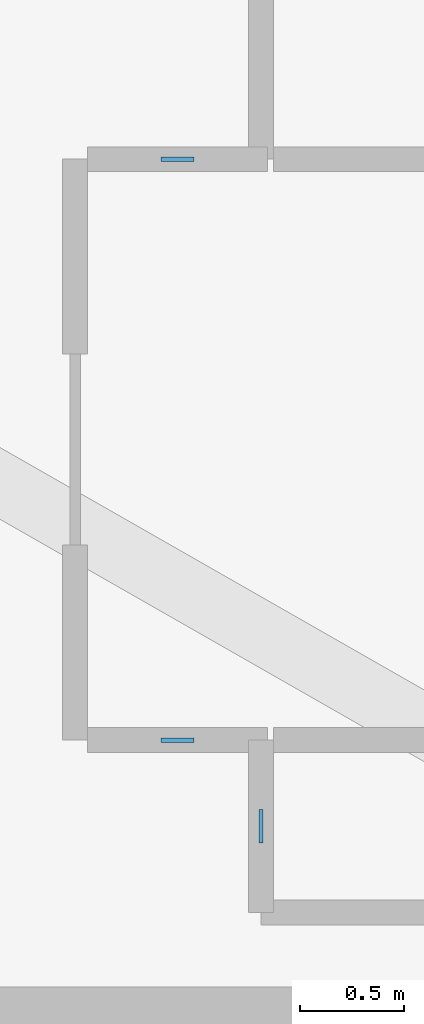
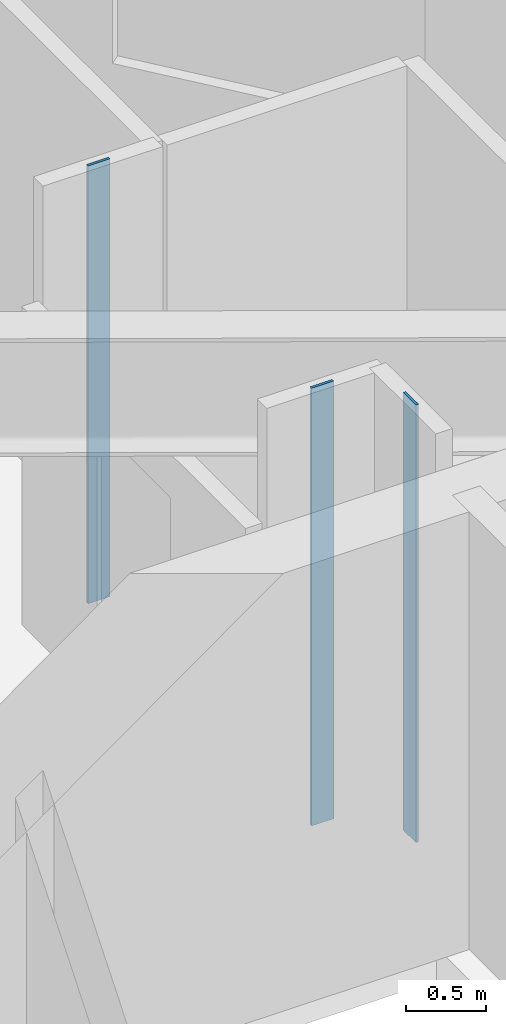
# One storey, part 6 of 13: 3 plates.
"""IFC4 building model written with IfcOpenShell, lengths in metres."""

import ifcopenshell
import ifcopenshell.guid

model = None  # the IFC model being written
_history = None  # IfcOwnerHistory: only IFC2X3 demands one
_inside = {}  # id of a spatial element -> (the spatial element, [elements in it])
_under = {}  # id of a project, library or spatial element -> (it, [spatial elements below it])
_declared = {}  # id of a project -> (the project, [libraries it declares])
_typed = {}  # id of a type object -> (the type object, [elements of that type])
_made_of = {}  # id of a material, layer set ... -> (it, [elements and type objects made of it])


def new_model(schema):
    """Start an empty IFC model of exactly this schema.

    Asked for "IFC4X3", IfcOpenShell would pick the latest addendum, in which some entities
    have other attributes; the version numbers below select the first issue.
    IFC2X3 requires an IfcOwnerHistory on every rooted entity: one is made here for all.
    """
    global model, _history
    if schema == "IFC4X3":
        model = ifcopenshell.file(schema_version=(4, 3, 0, 0))
    else:
        model = ifcopenshell.file(schema=schema)
    _inside.clear()
    _under.clear()
    _declared.clear()
    _typed.clear()
    _made_of.clear()
    _history = None
    if model.schema == "IFC2X3":
        org = make("IfcOrganization", Name="unknown")
        user = make(
            "IfcPersonAndOrganization",
            ThePerson=make("IfcPerson", FamilyName="unknown"),
            TheOrganization=org,
        )
        app = make(
            "IfcApplication",
            ApplicationDeveloper=org,
            Version="unknown",
            ApplicationFullName="unknown",
            ApplicationIdentifier="unknown",
        )
        _history = make(
            "IfcOwnerHistory",
            OwningUser=user,
            OwningApplication=app,
            ChangeAction="ADDED",
            CreationDate=0,
        )
    return model


def make(cls, **values):
    """One entity of the class cls with the attributes given. An attribute that is None is left unset."""
    return model.create_entity(
        cls, **{name: value for name, value in values.items() if value is not None}
    )


def rooted(cls, **values):
    """An entity with a GlobalId (a new one), such as an element, a storey or a relation."""
    return make(cls, GlobalId=ifcopenshell.guid.new(), OwnerHistory=_history, **values)


def si_unit(unit_type, name, prefix=None):
    """IfcSIUnit, for example si_unit("LENGTHUNIT", "METRE", prefix="MILLI")."""
    return make("IfcSIUnit", UnitType=unit_type, Prefix=prefix, Name=name)


def assignment(units):
    """IfcUnitAssignment: the units of a project."""
    return None if units is None else make("IfcUnitAssignment", Units=units)


def point(xyz):
    """IfcCartesianPoint."""
    return None if xyz is None else make("IfcCartesianPoint", Coordinates=xyz)


def direction(xyz):
    """IfcDirection."""
    return None if xyz is None else make("IfcDirection", DirectionRatios=xyz)


def frame(location, z_axis=None, x_axis=None):
    """IfcAxis2Placement3D, a coordinate frame: its origin and axes. An axis left out is left unset."""
    return make(
        "IfcAxis2Placement3D",
        Location=point(location),
        Axis=direction(z_axis),
        RefDirection=direction(x_axis),
    )


def frame_2d(location, x_axis=None):
    """IfcAxis2Placement2D, a coordinate frame in the plane: its origin and x axis."""
    return make(
        "IfcAxis2Placement2D", Location=point(location), RefDirection=direction(x_axis)
    )


def origin():
    """The frame at (0, 0, 0) with its axes left unset."""
    return frame((0.0, 0.0, 0.0))


def origin_2d():
    """The frame at (0, 0) in the plane with its x axis left unset."""
    return frame_2d((0.0, 0.0))


def place(relative_to, where):
    """IfcLocalPlacement: puts the frame where relative to a parent placement (None: the world)."""
    return make(
        "IfcLocalPlacement", PlacementRelTo=relative_to, RelativePlacement=where
    )


def context(
    kind, dimensions, precision=None, world=None, true_north=None, identifier=None
):
    """IfcGeometricRepresentationContext, for example the 3D "Model" context."""
    return make(
        "IfcGeometricRepresentationContext",
        ContextIdentifier=identifier,
        ContextType=kind,
        CoordinateSpaceDimension=dimensions,
        Precision=precision,
        WorldCoordinateSystem=world,
        TrueNorth=true_north,
    )


def subcontext(parent, identifier, kind, view, scale=None):
    """IfcGeometricRepresentationSubContext, for example "Body" below "Model"."""
    return make(
        "IfcGeometricRepresentationSubContext",
        ContextIdentifier=identifier,
        ContextType=kind,
        ParentContext=parent,
        TargetScale=scale,
        TargetView=view,
    )


def project(units=None, contexts=None):
    """IfcProject with its units and contexts."""
    return rooted(
        "IfcProject",
        Name="project",
        RepresentationContexts=contexts,
        UnitsInContext=assignment(units),
    )


def spatial(cls, under=None, at=None, **own):
    """A site, building, storey or space (cls), placed at a placement, below another one or the project."""
    s = rooted(cls, ObjectPlacement=at, **own)
    if under is not None:
        _under.setdefault(under.id(), (under, []))[1].append(s)
    return s


def profile(cls, at=None, kind="AREA", **sizes):
    """A parametric profile (cls). Its sizes go by their IFC names, for example OverallWidth=200.0."""
    return make(cls, ProfileType=kind, Position=at, **sizes)


def rectangle(**sizes):
    """IfcRectangleProfileDef."""
    return profile("IfcRectangleProfileDef", **sizes)


def extrude(swept, where, along, depth):
    """IfcExtrudedAreaSolid: the profile swept, set in the frame where, extruded along a direction by depth."""
    return make(
        "IfcExtrudedAreaSolid",
        SweptArea=swept,
        Position=where,
        ExtrudedDirection=direction(along),
        Depth=depth,
    )


def shape(context_of_items, identifier, shape_type, items):
    """IfcShapeRepresentation: the items that make up one representation, for example the "Body"."""
    return make(
        "IfcShapeRepresentation",
        ContextOfItems=context_of_items,
        RepresentationIdentifier=identifier,
        RepresentationType=shape_type,
        Items=items,
    )


def material(Name=None, Category=None):
    """IfcMaterial."""
    return make("IfcMaterial", Name=Name, Category=Category)


def layer(
    of_material, thickness, ventilated=None, Name=None, Category=None, Priority=None
):
    """IfcMaterialLayer: one layer of a wall or slab, of a material (None: an air gap)."""
    return make(
        "IfcMaterialLayer",
        Material=of_material,
        LayerThickness=thickness,
        IsVentilated=ventilated,
        Name=Name,
        Category=Category,
        Priority=Priority,
    )


def layer_set(layers, Name=None):
    """IfcMaterialLayerSet."""
    return make("IfcMaterialLayerSet", MaterialLayers=layers, LayerSetName=Name)


def made_of(thing, what):
    """Note that an element or type object is made of a material, layer set ...; save() writes the relation."""
    if what is not None:
        _made_of.setdefault(what.id(), (what, []))[1].append(thing)
    return thing


def type_object(cls, material=None, **own):
    """A type object (cls), such as IfcWallType, which elements share."""
    return made_of(rooted(cls, **own), material)


def element(
    cls,
    number,
    at=None,
    inside=None,
    cuts=None,
    type_object=None,
    material=None,
    context=None,
    identifier="Body",
    shape_type=None,
    held_by="IfcProductDefinitionShape",
    body=None,
    shapes=None,
    **own,
):
    """One element of the class cls, such as IfcWall. Its Tag is "e" and its number.

    at: its placement. inside: the storey or other place that contains it. cuts: it is an
    opening in that element (IfcRelVoidsElement). A single representation is given by context,
    identifier, shape_type and body (its items); several are given by shapes. held_by: the class
    of the entity that holds the representations. save() writes the other relations.
    """
    e = rooted(cls, Tag="e%d" % number, ObjectPlacement=at, **own)
    if body is not None:
        shapes = [shape(context, identifier, shape_type, body)]
    if shapes is not None:
        e.Representation = make(held_by, Representations=shapes)
    if inside is not None:
        _inside.setdefault(inside.id(), (inside, []))[1].append(e)
    if cuts is not None:
        rooted(
            "IfcRelVoidsElement", RelatingBuildingElement=cuts, RelatedOpeningElement=e
        )
    if type_object is not None:
        _typed.setdefault(type_object.id(), (type_object, []))[1].append(e)
    return made_of(e, material)


def aggregate(whole, parts):
    """IfcRelAggregates: a whole, such as a stair, and the parts it consists of."""
    return rooted("IfcRelAggregates", RelatingObject=whole, RelatedObjects=parts)


def save(model, path):
    """Write the relations noted so far, then the file.

    IfcRelAggregates (storeys below a building ...), IfcRelContainedInSpatialStructure (elements
    in a storey), IfcRelDefinesByType, IfcRelAssociatesMaterial and IfcRelDeclares: one each for
    every whole, place, type object, material and project.
    """
    for whole, parts in _under.values():
        aggregate(whole, parts)
    for where, things in _inside.values():
        rooted(
            "IfcRelContainedInSpatialStructure",
            RelatedElements=things,
            RelatingStructure=where,
        )
    for kind, things in _typed.values():
        rooted("IfcRelDefinesByType", RelatedObjects=things, RelatingType=kind)
    for what, things in _made_of.values():
        rooted("IfcRelAssociatesMaterial", RelatedObjects=things, RelatingMaterial=what)
    for by, libraries in _declared.values():
        rooted("IfcRelDeclares", RelatingContext=by, RelatedDefinitions=libraries)
    model.write(path)


model = new_model("IFC4")

# Units and contexts
model_context = context("Model", 3, precision=1e-05, world=origin(), true_north=direction((0.0, 1.0)))
body_context = subcontext(model_context, "Body", "Model", "MODEL_VIEW")
ifc_project = project(units=[si_unit("LENGTHUNIT", "METRE"), si_unit("AREAUNIT", "SQUARE_METRE"), si_unit("VOLUMEUNIT", "CUBIC_METRE"), si_unit("PLANEANGLEUNIT", "RADIAN"), si_unit("MASSUNIT", "GRAM", prefix="KILO")], contexts=[model_context])

# Site, building, storey
site_placement = place(None, origin())
site = spatial("IfcSite", under=ifc_project, at=site_placement, CompositionType="ELEMENT")
building_placement = place(site_placement, origin())
building = spatial("IfcBuilding", under=site, at=building_placement, Name="Miruveldt Soraemaru", CompositionType="ELEMENT")
storey_placement = place(building_placement, frame((0.0, 0.0, 201.60009765625)))
storey = spatial("IfcBuildingStorey", under=building, at=storey_placement, Name="L55", CompositionType="ELEMENT", Elevation=201.60009765625)

# Plates
ifc_material = material(Name="Anodised aluminium EN AW-6063 T6", Category="aluminium")
ifc_layer = layer(ifc_material, 0.02001953125, Name="Anodised aluminium EN AW-6063 T6", Category="aluminium")
ifc_layer_set = layer_set([ifc_layer], Name="Anodised aluminium EN AW-6063 T6")
plate_type = type_object("IfcPlateType", Name="PLT-PART-TRIM", PredefinedType="SHEET", material=ifc_layer_set)
for number, where, z_axis, x_axis, name in (
    (1, (49.199951171875, 56.679931640625, 0.0), (0.0, 0.0, 1.0), (-1.0, 0.0, 0.0), "L55 Partition Step Corner Trim Plate 016"),
    (2, (49.199951171875, 53.8798828125, 0.0), (0.0, 0.0, 1.0), (1.0, 0.0, 0.0), "L55 Partition Step Corner Trim Plate 018"),
    (3, (49.60302734375, 53.465087890625, 0.0), (0.0, 0.0, 1.0), (0.0, 1.0, 0.0), "L55 Partition Step Corner Trim Plate 019"),
):
    element("IfcPlate", number, at=place(storey_placement, frame(where, z_axis=z_axis, x_axis=x_axis)), inside=storey, type_object=plate_type, Name=name, PredefinedType="SHEET", context=body_context, shape_type="SweptSolid", body=[
        extrude(rectangle(XDim=0.159912109375, YDim=0.02001953125, at=origin_2d()), origin(), (0.0, 0.0, 1.0), 3.344970703125),
    ])

save(model, "model.ifc")
